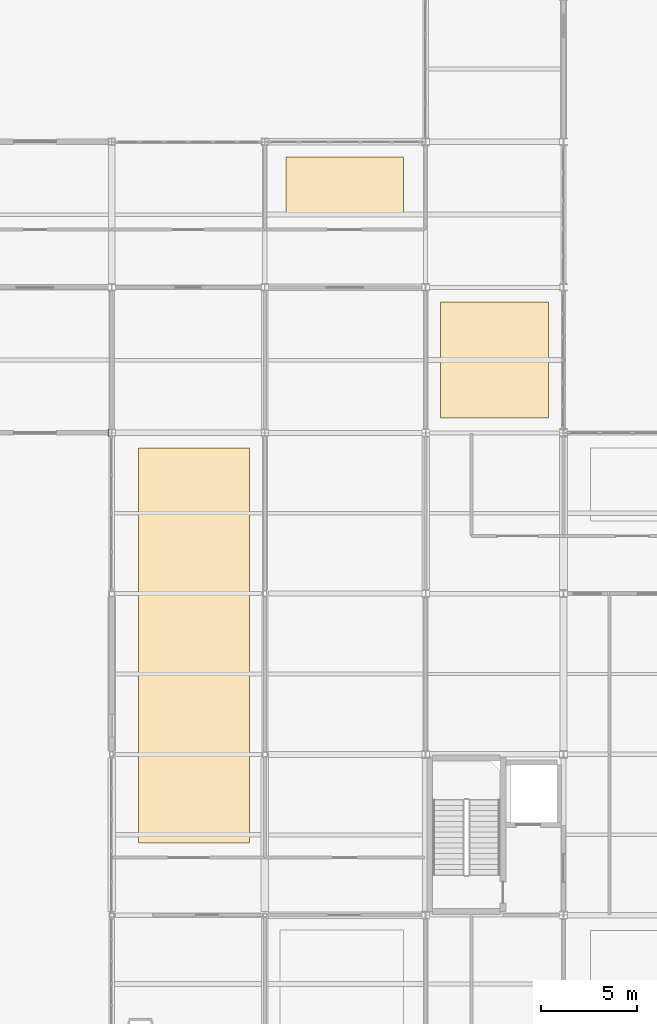
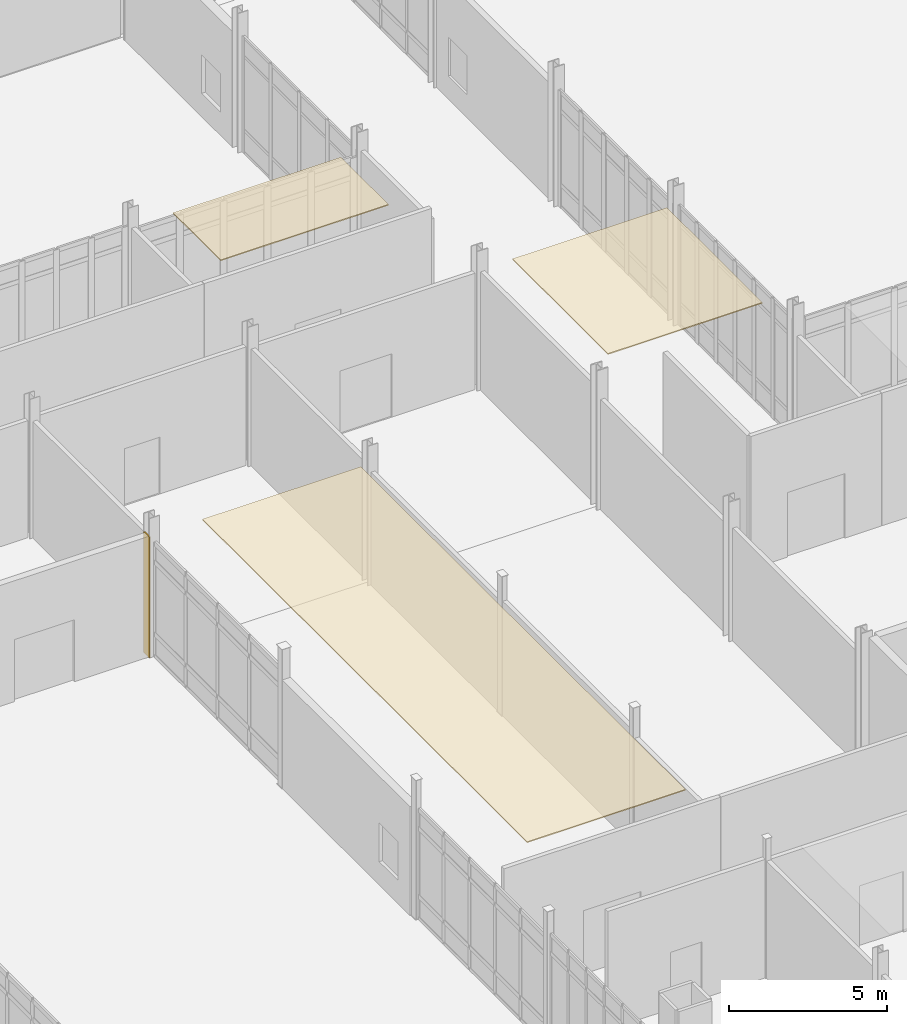
# One storey, part 212 of 229: 4 coverings.
"""IFC4 building model written with IfcOpenShell, lengths in metres."""

from ifc_helpers import new_model, si_unit, direction, frame, origin, place, context, subcontext, project, spatial, polyline, outline, extrude, material, layer, layer_set, type_object, element, save


model = new_model("IFC4")

# Units and contexts
model_context = context("Model", 3, precision=1e-05, world=origin(), true_north=direction((0.0, 1.0)))
body_context = subcontext(model_context, "Body", "Model", "MODEL_VIEW")
ifc_project = project(units=[si_unit("LENGTHUNIT", "METRE"), si_unit("AREAUNIT", "SQUARE_METRE"), si_unit("VOLUMEUNIT", "CUBIC_METRE"), si_unit("PLANEANGLEUNIT", "RADIAN"), si_unit("MASSUNIT", "GRAM", prefix="KILO")], contexts=[model_context])

# Site, building, storey
site_placement = place(None, origin())
site = spatial("IfcSite", under=ifc_project, at=site_placement, CompositionType="ELEMENT")
building_placement = place(site_placement, origin())
building = spatial("IfcBuilding", under=site, at=building_placement, Name="Calvrana Isthmian Art Gallery", CompositionType="ELEMENT")
storey_placement = place(building_placement, origin())
storey = spatial("IfcBuildingStorey", under=building, at=storey_placement, Name="L00", CompositionType="ELEMENT", Elevation=0.0)

# Coverings
ifc_material_1 = material(Name="Acoustic gypsum ceiling", Category="gypsum")
ifc_layer_1 = layer(ifc_material_1, 0.0400390625, Name="Acoustic gypsum ceiling")
ifc_layer_set_1 = layer_set([ifc_layer_1], Name="Acoustic gypsum ceiling")
covering_type_1 = type_object("IfcCoveringType", Name="COV-CEIL-ACOUST", PredefinedType="CEILING", material=ifc_layer_set_1)
covering_1_placement = place(storey_placement, frame((0.0, 0.0, 5.162109375)))
element("IfcCovering", 1, at=covering_1_placement, inside=storey, type_object=covering_type_1, Name="Gallery acoustic ceiling 07", PredefinedType="CEILING", context=body_context, shape_type="SweptSolid", body=[
    extrude(outline(polyline([(97.800048828125, 25.3798828125), (103.60009765625, 25.3798828125), (103.60009765625, 46.0), (97.800048828125, 46.0), (97.800048828125, 25.3798828125)])), origin(), (0.0, 0.0, 1.0), 0.039794921875),
])
covering_2_placement = place(storey_placement, frame((0.0, 0.0, 5.1220703125)))
element("IfcCovering", 2, at=covering_2_placement, inside=storey, type_object=covering_type_1, Name="Gallery acoustic ceiling 10", PredefinedType="CEILING", context=body_context, shape_type="SweptSolid", body=[
    extrude(outline(polyline([(105.5, 58.179931640625), (111.64990234375, 58.179931640625), (111.64990234375, 61.199951171875), (105.5, 61.199951171875), (105.5, 58.179931640625)])), origin(), (0.0, 0.0, 1.0), 0.0400390625),
])
covering_3_placement = place(storey_placement, frame((0.0, 0.0, 5.10205078125)))
element("IfcCovering", 3, at=covering_3_placement, inside=storey, type_object=covering_type_1, Name="Gallery acoustic ceiling 22", PredefinedType="CEILING", context=body_context, shape_type="SweptSolid", body=[
    extrude(outline(polyline([(113.570068359375, 47.570068359375), (119.22998046875, 47.570068359375), (119.22998046875, 53.6298828125), (113.570068359375, 53.6298828125), (113.570068359375, 47.570068359375)])), origin(), (0.0, 0.0, 1.0), 0.0400390625),
])
ifc_material_2 = material(Name="Polychrome glazed terracotta", Category="masonry")
ifc_layer_2 = layer(ifc_material_2, 0.0400390625, Name="Polychrome glazed terracotta")
ifc_layer_set_2 = layer_set([ifc_layer_2], Name="Polychrome glazed terracotta")
covering_type_2 = type_object("IfcCoveringType", Name="COV-CLAD-TERRA", PredefinedType="CLADDING", material=ifc_layer_set_2)
covering_4_placement = place(storey_placement, origin())
element("IfcCovering", 4, at=covering_4_placement, inside=storey, type_object=covering_type_2, Name="Column pocket weather closure L00-11-06-E", PredefinedType="CLADDING", context=body_context, shape_type="SweptSolid", body=[
    extrude(outline(polyline([(96.21337890625, 46.618408203125), (96.25341796875, 46.618408203125), (96.25341796875, 46.9814453125), (96.21337890625, 46.9814453125), (96.21337890625, 46.618408203125)])), origin(), (0.0, 0.0, 1.0), 4.677978515625),
])

save(model, "model.ifc")
